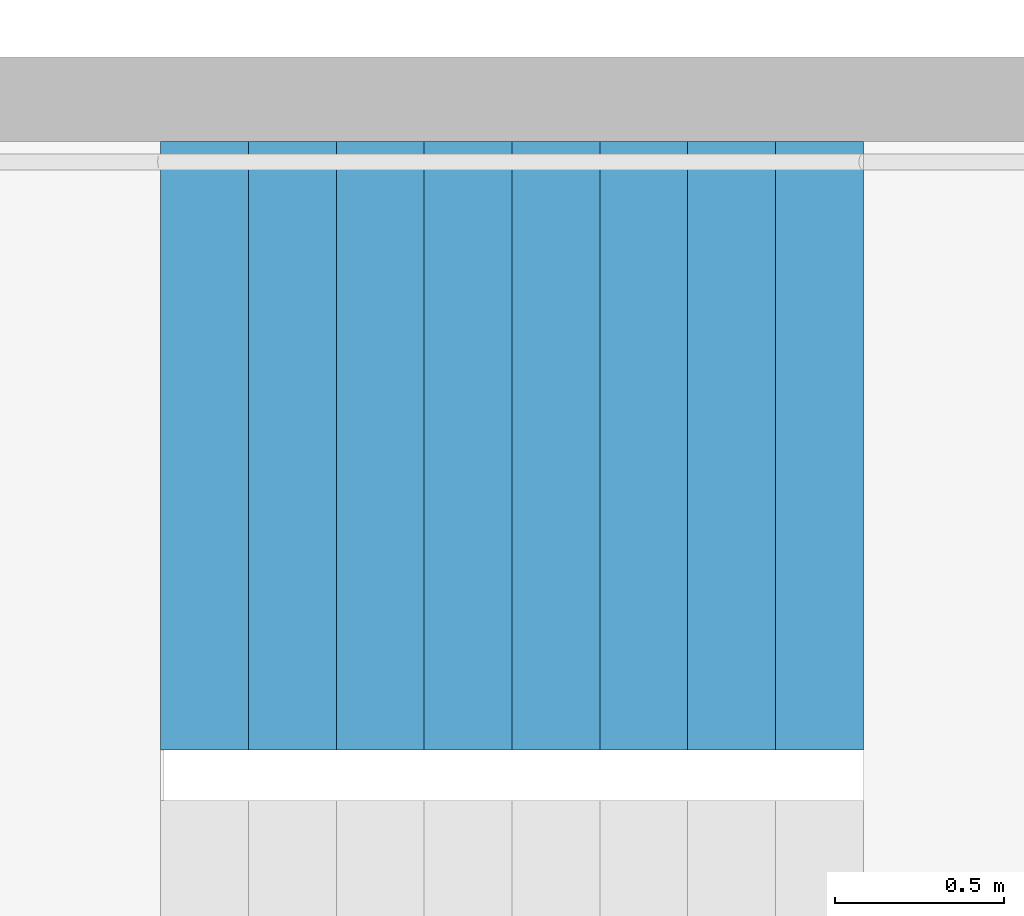
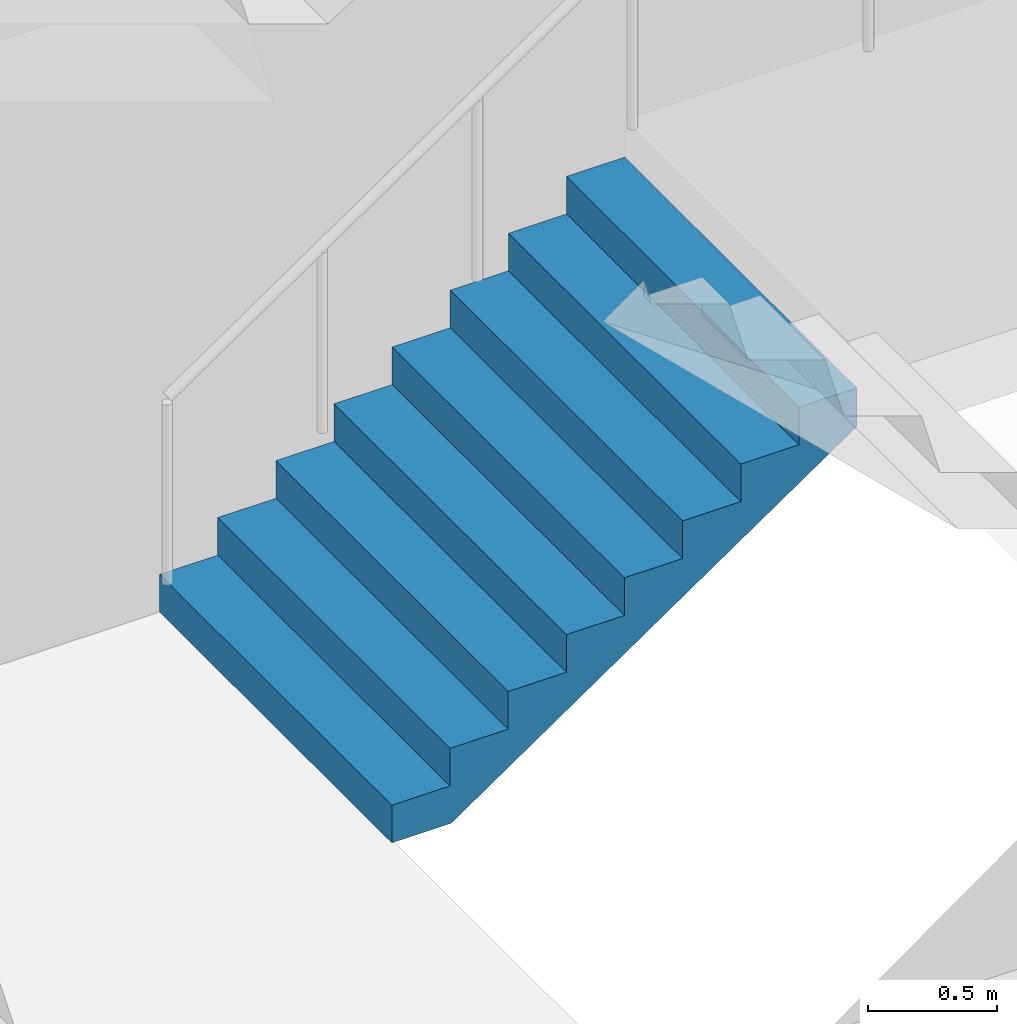
# One storey, part 26 of 42: 1 stair flight, 1 element without a shape of its own.
"""IFC4 building model written with IfcOpenShell, lengths in metres."""

from ifc_helpers import new_model, si_unit, direction, frame, origin, place, context, subcontext, project, spatial, triangles, material, type_object, element, aggregate, save


model = new_model("IFC4")

# Units and contexts
model_context = context("Model", 3, precision=1e-05, world=origin(), true_north=direction((0.0, 1.0)))
body_context = subcontext(model_context, "Body", "Model", "MODEL_VIEW")
ifc_project = project(units=[si_unit("LENGTHUNIT", "METRE"), si_unit("AREAUNIT", "SQUARE_METRE"), si_unit("VOLUMEUNIT", "CUBIC_METRE"), si_unit("PLANEANGLEUNIT", "RADIAN"), si_unit("MASSUNIT", "GRAM", prefix="KILO")], contexts=[model_context])

# Site, building, storey
site_placement = place(None, origin())
site = spatial("IfcSite", under=ifc_project, at=site_placement, CompositionType="ELEMENT")
building_placement = place(site_placement, origin())
building = spatial("IfcBuilding", under=site, at=building_placement, Name="Hakoniwa Tower and Hamabe Station Hall", CompositionType="ELEMENT")
storey_placement = place(building_placement, frame((0.0, 0.0, 232.60009765625)))
storey = spatial("IfcBuildingStorey", under=building, at=storey_placement, Name="L66", CompositionType="ELEMENT", Elevation=232.60009765625)

# Stair, stair flight
ifc_material_1 = material(Name="Concrete C40", Category="concrete")
stair_type = type_object("IfcStairType", Name="ESCAPE STAIR 1800", PredefinedType="HALF_TURN_STAIR", material=ifc_material_1)
stair_placement = place(storey_placement, origin())
stair = element("IfcStair", 1, at=stair_placement, inside=storey, type_object=stair_type, Name="Escape stair ST-4 L66", PredefinedType="HALF_TURN_STAIR")
ifc_material_2 = material(Name="Concrete C40", Category="concrete")
stair_flight_type = type_object("IfcStairFlightType", Name="STAIR FLIGHT 1800", PredefinedType="STRAIGHT", material=ifc_material_2)
stair_flight_placement = place(storey_placement, frame((23.39990234375, -4.64990234375, 0.0), z_axis=(0.0, 0.0, 1.0), x_axis=(1.0, 0.0, 0.0)))
stair_flight = element("IfcStairFlight", 2, at=stair_flight_placement, type_object=stair_flight_type, Name="ST-4 flight 1", NumberOfRisers=9, NumberOfTreads=8, PredefinedType="STRAIGHT", RiserHeight=0.177777778, TreadLength=0.26, context=body_context, shape_type="Tessellation", body=[
    triangles([(0.0, 0.89990234375, 0.0), (0.260009765625, 0.89990234375, 0.0), (0.265625, 0.89990234375, 0.0), (0.52001953125, 0.89990234375, 0.174072265625), (0.780029296875, 0.89990234375, 0.351806640625), (1.0400390625, 0.89990234375, 0.529541015625), (1.300048828125, 0.89990234375, 0.707275390625), (1.56005859375, 0.89990234375, 0.885009765625), (1.820068359375, 0.89990234375, 1.062744140625), (2.080078125, 0.89990234375, 1.24072265625), (2.080078125, 0.89990234375, 1.422119140625), (1.820068359375, 0.89990234375, 1.422119140625), (1.820068359375, 0.89990234375, 1.244384765625), (1.56005859375, 0.89990234375, 1.244384765625), (1.56005859375, 0.89990234375, 1.066650390625), (1.300048828125, 0.89990234375, 1.066650390625), (1.300048828125, 0.89990234375, 0.888916015625), (1.0400390625, 0.89990234375, 0.888916015625), (1.0400390625, 0.89990234375, 0.711181640625), (0.780029296875, 0.89990234375, 0.711181640625), (0.780029296875, 0.89990234375, 0.533447265625), (0.52001953125, 0.89990234375, 0.533447265625), (0.52001953125, 0.89990234375, 0.35546875), (0.265625, 0.89990234375, 0.35546875), (0.260009765625, 0.89990234375, 0.35546875), (0.260009765625, 0.89990234375, 0.177734375), (0.0, 0.89990234375, 0.177734375), (0.0, 0.06005859375, 0.0), (0.260009765625, 0.06005859375, 0.0), (0.265625, 0.06005859375, 0.0), (0.52001953125, 0.06005859375, 0.174072265625), (0.780029296875, 0.06005859375, 0.351806640625), (1.0400390625, 0.06005859375, 0.529541015625), (1.300048828125, 0.06005859375, 0.707275390625), (1.56005859375, 0.06005859375, 0.885009765625), (1.820068359375, 0.06005859375, 1.062744140625), (2.080078125, 0.06005859375, 1.24072265625), (2.080078125, 0.06005859375, 1.422119140625), (1.820068359375, 0.06005859375, 1.422119140625), (1.820068359375, 0.06005859375, 1.244384765625), (1.56005859375, 0.06005859375, 1.244384765625), (1.56005859375, 0.06005859375, 1.066650390625), (1.300048828125, 0.06005859375, 1.066650390625), (1.300048828125, 0.06005859375, 0.888916015625), (1.0400390625, 0.06005859375, 0.888916015625), (1.0400390625, 0.06005859375, 0.711181640625), (0.780029296875, 0.06005859375, 0.711181640625), (0.780029296875, 0.06005859375, 0.533447265625), (0.52001953125, 0.06005859375, 0.533447265625), (0.52001953125, 0.06005859375, 0.35546875), (0.265625, 0.06005859375, 0.35546875), (0.260009765625, 0.06005859375, 0.35546875), (0.260009765625, 0.06005859375, 0.177734375), (0.0, 0.06005859375, 0.177734375), (0.0, 0.04296875, 0.0), (0.260009765625, 0.04296875, 0.0), (0.265625, 0.04296875, 0.0), (0.52001953125, 0.04296875, 0.174072265625), (0.780029296875, 0.04296875, 0.351806640625), (1.0400390625, 0.04296875, 0.529541015625), (1.300048828125, 0.04296875, 0.707275390625), (1.56005859375, 0.04296875, 0.885009765625), (1.820068359375, 0.04296875, 1.062744140625), (2.080078125, 0.04296875, 1.24072265625), (2.080078125, 0.04296875, 1.422119140625), (1.820068359375, 0.04296875, 1.422119140625), (1.820068359375, 0.04296875, 1.244384765625), (1.56005859375, 0.04296875, 1.244384765625), (1.56005859375, 0.04296875, 1.066650390625), (1.300048828125, 0.04296875, 1.066650390625), (1.300048828125, 0.04296875, 0.888916015625), (1.0400390625, 0.04296875, 0.888916015625), (1.0400390625, 0.04296875, 0.711181640625), (0.780029296875, 0.04296875, 0.711181640625), (0.780029296875, 0.04296875, 0.533447265625), (0.52001953125, 0.04296875, 0.533447265625), (0.52001953125, 0.04296875, 0.35546875), (0.265625, 0.04296875, 0.35546875), (0.260009765625, 0.04296875, 0.35546875), (0.260009765625, 0.04296875, 0.177734375), (0.0, 0.04296875, 0.177734375), (0.0, 0.025634765625, 0.0), (0.260009765625, 0.025634765625, 0.0), (0.265625, 0.025634765625, 0.0), (0.52001953125, 0.025634765625, 0.174072265625), (0.780029296875, 0.025634765625, 0.351806640625), (1.0400390625, 0.025634765625, 0.529541015625), (1.300048828125, 0.025634765625, 0.707275390625), (1.56005859375, 0.025634765625, 0.885009765625), (1.820068359375, 0.025634765625, 1.062744140625), (2.080078125, 0.025634765625, 1.24072265625), (2.080078125, 0.025634765625, 1.422119140625), (1.820068359375, 0.025634765625, 1.422119140625), (1.820068359375, 0.025634765625, 1.244384765625), (1.56005859375, 0.025634765625, 1.244384765625), (1.56005859375, 0.025634765625, 1.066650390625), (1.300048828125, 0.025634765625, 1.066650390625), (1.300048828125, 0.025634765625, 0.888916015625), (1.0400390625, 0.025634765625, 0.888916015625), (1.0400390625, 0.025634765625, 0.711181640625), (0.780029296875, 0.025634765625, 0.711181640625), (0.780029296875, 0.025634765625, 0.533447265625), (0.52001953125, 0.025634765625, 0.533447265625), (0.52001953125, 0.025634765625, 0.35546875), (0.265625, 0.025634765625, 0.35546875), (0.260009765625, 0.025634765625, 0.35546875), (0.260009765625, 0.025634765625, 0.177734375), (0.0, 0.025634765625, 0.177734375), (0.0, 0.008544921875, 0.0), (0.260009765625, 0.008544921875, 0.0), (0.265625, 0.008544921875, 0.0), (0.52001953125, 0.008544921875, 0.174072265625), (0.780029296875, 0.008544921875, 0.351806640625), (1.0400390625, 0.008544921875, 0.529541015625), (1.300048828125, 0.008544921875, 0.707275390625), (1.56005859375, 0.008544921875, 0.885009765625), (1.820068359375, 0.008544921875, 1.062744140625), (2.080078125, 0.008544921875, 1.24072265625), (2.080078125, 0.008544921875, 1.422119140625), (1.820068359375, 0.008544921875, 1.422119140625), (1.820068359375, 0.008544921875, 1.244384765625), (1.56005859375, 0.008544921875, 1.244384765625), (1.56005859375, 0.008544921875, 1.066650390625), (1.300048828125, 0.008544921875, 1.066650390625), (1.300048828125, 0.008544921875, 0.888916015625), (1.0400390625, 0.008544921875, 0.888916015625), (1.0400390625, 0.008544921875, 0.711181640625), (0.780029296875, 0.008544921875, 0.711181640625), (0.780029296875, 0.008544921875, 0.533447265625), (0.52001953125, 0.008544921875, 0.533447265625), (0.52001953125, 0.008544921875, 0.35546875), (0.265625, 0.008544921875, 0.35546875), (0.260009765625, 0.008544921875, 0.35546875), (0.260009765625, 0.008544921875, 0.177734375), (0.0, 0.008544921875, 0.177734375), (0.0, -0.008544921875, 0.0), (0.260009765625, -0.008544921875, 0.0), (0.265625, -0.008544921875, 0.0), (0.52001953125, -0.008544921875, 0.174072265625), (0.780029296875, -0.008544921875, 0.351806640625), (1.0400390625, -0.008544921875, 0.529541015625), (1.300048828125, -0.008544921875, 0.707275390625), (1.56005859375, -0.008544921875, 0.885009765625), (1.820068359375, -0.008544921875, 1.062744140625), (2.080078125, -0.008544921875, 1.24072265625), (2.080078125, -0.008544921875, 1.422119140625), (1.820068359375, -0.008544921875, 1.422119140625), (1.820068359375, -0.008544921875, 1.244384765625), (1.56005859375, -0.008544921875, 1.244384765625), (1.56005859375, -0.008544921875, 1.066650390625), (1.300048828125, -0.008544921875, 1.066650390625), (1.300048828125, -0.008544921875, 0.888916015625), (1.0400390625, -0.008544921875, 0.888916015625), (1.0400390625, -0.008544921875, 0.711181640625), (0.780029296875, -0.008544921875, 0.711181640625), (0.780029296875, -0.008544921875, 0.533447265625), (0.52001953125, -0.008544921875, 0.533447265625), (0.52001953125, -0.008544921875, 0.35546875), (0.265625, -0.008544921875, 0.35546875), (0.260009765625, -0.008544921875, 0.35546875), (0.260009765625, -0.008544921875, 0.177734375), (0.0, -0.008544921875, 0.177734375), (0.0, -0.025634765625, 0.0), (0.260009765625, -0.025634765625, 0.0), (0.265625, -0.025634765625, 0.0), (0.52001953125, -0.025634765625, 0.174072265625), (0.780029296875, -0.025634765625, 0.351806640625), (1.0400390625, -0.025634765625, 0.529541015625), (1.300048828125, -0.025634765625, 0.707275390625), (1.56005859375, -0.025634765625, 0.885009765625), (1.820068359375, -0.025634765625, 1.062744140625), (2.080078125, -0.025634765625, 1.24072265625), (2.080078125, -0.025634765625, 1.422119140625), (1.820068359375, -0.025634765625, 1.422119140625), (1.820068359375, -0.025634765625, 1.244384765625), (1.56005859375, -0.025634765625, 1.244384765625), (1.56005859375, -0.025634765625, 1.066650390625), (1.300048828125, -0.025634765625, 1.066650390625), (1.300048828125, -0.025634765625, 0.888916015625), (1.0400390625, -0.025634765625, 0.888916015625), (1.0400390625, -0.025634765625, 0.711181640625), (0.780029296875, -0.025634765625, 0.711181640625), (0.780029296875, -0.025634765625, 0.533447265625), (0.52001953125, -0.025634765625, 0.533447265625), (0.52001953125, -0.025634765625, 0.35546875), (0.265625, -0.025634765625, 0.35546875), (0.260009765625, -0.025634765625, 0.35546875), (0.260009765625, -0.025634765625, 0.177734375), (0.0, -0.025634765625, 0.177734375), (0.0, -0.04296875, 0.0), (0.260009765625, -0.04296875, 0.0), (0.265625, -0.04296875, 0.0), (0.52001953125, -0.04296875, 0.174072265625), (0.780029296875, -0.04296875, 0.351806640625), (1.0400390625, -0.04296875, 0.529541015625), (1.300048828125, -0.04296875, 0.707275390625), (1.56005859375, -0.04296875, 0.885009765625), (1.820068359375, -0.04296875, 1.062744140625), (2.080078125, -0.04296875, 1.24072265625), (2.080078125, -0.04296875, 1.422119140625), (1.820068359375, -0.04296875, 1.422119140625), (1.820068359375, -0.04296875, 1.244384765625), (1.56005859375, -0.04296875, 1.244384765625), (1.56005859375, -0.04296875, 1.066650390625), (1.300048828125, -0.04296875, 1.066650390625), (1.300048828125, -0.04296875, 0.888916015625), (1.0400390625, -0.04296875, 0.888916015625), (1.0400390625, -0.04296875, 0.711181640625), (0.780029296875, -0.04296875, 0.711181640625), (0.780029296875, -0.04296875, 0.533447265625), (0.52001953125, -0.04296875, 0.533447265625), (0.52001953125, -0.04296875, 0.35546875), (0.265625, -0.04296875, 0.35546875), (0.260009765625, -0.04296875, 0.35546875), (0.260009765625, -0.04296875, 0.177734375), (0.0, -0.04296875, 0.177734375), (0.0, -0.06005859375, 0.0), (0.260009765625, -0.06005859375, 0.0), (0.265625, -0.06005859375, 0.0), (0.52001953125, -0.06005859375, 0.174072265625), (0.780029296875, -0.06005859375, 0.351806640625), (1.0400390625, -0.06005859375, 0.529541015625), (1.300048828125, -0.06005859375, 0.707275390625), (1.56005859375, -0.06005859375, 0.885009765625), (1.820068359375, -0.06005859375, 1.062744140625), (2.080078125, -0.06005859375, 1.24072265625), (2.080078125, -0.06005859375, 1.422119140625), (1.820068359375, -0.06005859375, 1.422119140625), (1.820068359375, -0.06005859375, 1.244384765625), (1.56005859375, -0.06005859375, 1.244384765625), (1.56005859375, -0.06005859375, 1.066650390625), (1.300048828125, -0.06005859375, 1.066650390625), (1.300048828125, -0.06005859375, 0.888916015625), (1.0400390625, -0.06005859375, 0.888916015625), (1.0400390625, -0.06005859375, 0.711181640625), (0.780029296875, -0.06005859375, 0.711181640625), (0.780029296875, -0.06005859375, 0.533447265625), (0.52001953125, -0.06005859375, 0.533447265625), (0.52001953125, -0.06005859375, 0.35546875), (0.265625, -0.06005859375, 0.35546875), (0.260009765625, -0.06005859375, 0.35546875), (0.260009765625, -0.06005859375, 0.177734375), (0.0, -0.06005859375, 0.177734375), (0.0, -0.89990234375, 0.0), (0.260009765625, -0.89990234375, 0.0), (0.265625, -0.89990234375, 0.0), (0.52001953125, -0.89990234375, 0.174072265625), (0.780029296875, -0.89990234375, 0.351806640625), (1.0400390625, -0.89990234375, 0.529541015625), (1.300048828125, -0.89990234375, 0.707275390625), (1.56005859375, -0.89990234375, 0.885009765625), (1.820068359375, -0.89990234375, 1.062744140625), (2.080078125, -0.89990234375, 1.24072265625), (2.080078125, -0.89990234375, 1.422119140625), (1.820068359375, -0.89990234375, 1.422119140625), (1.820068359375, -0.89990234375, 1.244384765625), (1.56005859375, -0.89990234375, 1.244384765625), (1.56005859375, -0.89990234375, 1.066650390625), (1.300048828125, -0.89990234375, 1.066650390625), (1.300048828125, -0.89990234375, 0.888916015625), (1.0400390625, -0.89990234375, 0.888916015625), (1.0400390625, -0.89990234375, 0.711181640625), (0.780029296875, -0.89990234375, 0.711181640625), (0.780029296875, -0.89990234375, 0.533447265625), (0.52001953125, -0.89990234375, 0.533447265625), (0.52001953125, -0.89990234375, 0.35546875), (0.265625, -0.89990234375, 0.35546875), (0.260009765625, -0.89990234375, 0.35546875), (0.260009765625, -0.89990234375, 0.177734375), (0.0, -0.89990234375, 0.177734375)], [[2, 27, 26], [245, 269, 270], [2, 1, 27], [245, 270, 244], [3, 25, 24], [246, 267, 268], [3, 26, 25], [246, 268, 269], [3, 2, 26], [246, 269, 245], [4, 24, 23], [247, 266, 267], [4, 3, 24], [247, 267, 246], [5, 22, 21], [248, 264, 265], [5, 23, 22], [248, 265, 266], [5, 4, 23], [248, 266, 247], [6, 20, 19], [249, 262, 263], [6, 21, 20], [249, 263, 264], [6, 5, 21], [249, 264, 248], [7, 18, 17], [250, 260, 261], [7, 19, 18], [250, 261, 262], [7, 6, 19], [250, 262, 249], [8, 16, 15], [251, 258, 259], [8, 17, 16], [251, 259, 260], [8, 7, 17], [251, 260, 250], [9, 14, 13], [252, 256, 257], [9, 15, 14], [252, 257, 258], [9, 8, 15], [252, 258, 251], [10, 12, 11], [253, 254, 255], [10, 13, 12], [253, 255, 256], [10, 9, 13], [253, 256, 252], [1, 2, 29], [1, 29, 28], [28, 29, 56], [28, 56, 55], [55, 56, 83], [55, 83, 82], [82, 83, 110], [82, 110, 109], [109, 110, 137], [109, 137, 136], [136, 137, 164], [136, 164, 163], [163, 164, 191], [163, 191, 190], [190, 191, 218], [190, 218, 217], [217, 218, 245], [217, 245, 244], [2, 3, 30], [2, 30, 29], [29, 30, 57], [29, 57, 56], [56, 57, 84], [56, 84, 83], [83, 84, 111], [83, 111, 110], [110, 111, 138], [110, 138, 137], [137, 138, 165], [137, 165, 164], [164, 165, 192], [164, 192, 191], [191, 192, 219], [191, 219, 218], [218, 219, 246], [218, 246, 245], [3, 4, 31], [3, 31, 30], [30, 31, 58], [30, 58, 57], [57, 58, 85], [57, 85, 84], [84, 85, 112], [84, 112, 111], [111, 112, 139], [111, 139, 138], [138, 139, 166], [138, 166, 165], [165, 166, 193], [165, 193, 192], [192, 193, 220], [192, 220, 219], [219, 220, 247], [219, 247, 246], [4, 5, 32], [4, 32, 31], [31, 32, 59], [31, 59, 58], [58, 59, 86], [58, 86, 85], [85, 86, 113], [85, 113, 112], [112, 113, 140], [112, 140, 139], [139, 140, 167], [139, 167, 166], [166, 167, 194], [166, 194, 193], [193, 194, 221], [193, 221, 220], [220, 221, 248], [220, 248, 247], [5, 6, 33], [5, 33, 32], [32, 33, 60], [32, 60, 59], [59, 60, 87], [59, 87, 86], [86, 87, 114], [86, 114, 113], [113, 114, 141], [113, 141, 140], [140, 141, 168], [140, 168, 167], [167, 168, 195], [167, 195, 194], [194, 195, 222], [194, 222, 221], [221, 222, 249], [221, 249, 248], [6, 7, 34], [6, 34, 33], [33, 34, 61], [33, 61, 60], [60, 61, 88], [60, 88, 87], [87, 88, 115], [87, 115, 114], [114, 115, 142], [114, 142, 141], [141, 142, 169], [141, 169, 168], [168, 169, 196], [168, 196, 195], [195, 196, 223], [195, 223, 222], [222, 223, 250], [222, 250, 249], [7, 8, 35], [7, 35, 34], [34, 35, 62], [34, 62, 61], [61, 62, 89], [61, 89, 88], [88, 89, 116], [88, 116, 115], [115, 116, 143], [115, 143, 142], [142, 143, 170], [142, 170, 169], [169, 170, 197], [169, 197, 196], [196, 197, 224], [196, 224, 223], [223, 224, 251], [223, 251, 250], [8, 9, 36], [8, 36, 35], [35, 36, 63], [35, 63, 62], [62, 63, 90], [62, 90, 89], [89, 90, 117], [89, 117, 116], [116, 117, 144], [116, 144, 143], [143, 144, 171], [143, 171, 170], [170, 171, 198], [170, 198, 197], [197, 198, 225], [197, 225, 224], [224, 225, 252], [224, 252, 251], [9, 10, 37], [9, 37, 36], [36, 37, 64], [36, 64, 63], [63, 64, 91], [63, 91, 90], [90, 91, 118], [90, 118, 117], [117, 118, 145], [117, 145, 144], [144, 145, 172], [144, 172, 171], [171, 172, 199], [171, 199, 198], [198, 199, 226], [198, 226, 225], [225, 226, 253], [225, 253, 252], [10, 11, 38], [10, 38, 37], [37, 38, 65], [37, 65, 64], [64, 65, 92], [64, 92, 91], [91, 92, 119], [91, 119, 118], [118, 119, 146], [118, 146, 145], [145, 146, 173], [145, 173, 172], [172, 173, 200], [172, 200, 199], [199, 200, 227], [199, 227, 226], [226, 227, 254], [226, 254, 253], [11, 12, 39], [11, 39, 38], [38, 39, 66], [38, 66, 65], [65, 66, 93], [65, 93, 92], [92, 93, 120], [92, 120, 119], [119, 120, 147], [119, 147, 146], [146, 147, 174], [146, 174, 173], [173, 174, 201], [173, 201, 200], [200, 201, 228], [200, 228, 227], [227, 228, 255], [227, 255, 254], [12, 13, 40], [12, 40, 39], [39, 40, 67], [39, 67, 66], [66, 67, 94], [66, 94, 93], [93, 94, 121], [93, 121, 120], [120, 121, 148], [120, 148, 147], [147, 148, 175], [147, 175, 174], [174, 175, 202], [174, 202, 201], [201, 202, 229], [201, 229, 228], [228, 229, 256], [228, 256, 255], [13, 14, 41], [13, 41, 40], [40, 41, 68], [40, 68, 67], [67, 68, 95], [67, 95, 94], [94, 95, 122], [94, 122, 121], [121, 122, 149], [121, 149, 148], [148, 149, 176], [148, 176, 175], [175, 176, 203], [175, 203, 202], [202, 203, 230], [202, 230, 229], [229, 230, 257], [229, 257, 256], [14, 15, 42], [14, 42, 41], [41, 42, 69], [41, 69, 68], [68, 69, 96], [68, 96, 95], [95, 96, 123], [95, 123, 122], [122, 123, 150], [122, 150, 149], [149, 150, 177], [149, 177, 176], [176, 177, 204], [176, 204, 203], [203, 204, 231], [203, 231, 230], [230, 231, 258], [230, 258, 257], [15, 16, 43], [15, 43, 42], [42, 43, 70], [42, 70, 69], [69, 70, 97], [69, 97, 96], [96, 97, 124], [96, 124, 123], [123, 124, 151], [123, 151, 150], [150, 151, 178], [150, 178, 177], [177, 178, 205], [177, 205, 204], [204, 205, 232], [204, 232, 231], [231, 232, 259], [231, 259, 258], [16, 17, 44], [16, 44, 43], [43, 44, 71], [43, 71, 70], [70, 71, 98], [70, 98, 97], [97, 98, 125], [97, 125, 124], [124, 125, 152], [124, 152, 151], [151, 152, 179], [151, 179, 178], [178, 179, 206], [178, 206, 205], [205, 206, 233], [205, 233, 232], [232, 233, 260], [232, 260, 259], [17, 18, 45], [17, 45, 44], [44, 45, 72], [44, 72, 71], [71, 72, 99], [71, 99, 98], [98, 99, 126], [98, 126, 125], [125, 126, 153], [125, 153, 152], [152, 153, 180], [152, 180, 179], [179, 180, 207], [179, 207, 206], [206, 207, 234], [206, 234, 233], [233, 234, 261], [233, 261, 260], [18, 19, 46], [18, 46, 45], [45, 46, 73], [45, 73, 72], [72, 73, 100], [72, 100, 99], [99, 100, 127], [99, 127, 126], [126, 127, 154], [126, 154, 153], [153, 154, 181], [153, 181, 180], [180, 181, 208], [180, 208, 207], [207, 208, 235], [207, 235, 234], [234, 235, 262], [234, 262, 261], [19, 20, 47], [19, 47, 46], [46, 47, 74], [46, 74, 73], [73, 74, 101], [73, 101, 100], [100, 101, 128], [100, 128, 127], [127, 128, 155], [127, 155, 154], [154, 155, 182], [154, 182, 181], [181, 182, 209], [181, 209, 208], [208, 209, 236], [208, 236, 235], [235, 236, 263], [235, 263, 262], [20, 21, 48], [20, 48, 47], [47, 48, 75], [47, 75, 74], [74, 75, 102], [74, 102, 101], [101, 102, 129], [101, 129, 128], [128, 129, 156], [128, 156, 155], [155, 156, 183], [155, 183, 182], [182, 183, 210], [182, 210, 209], [209, 210, 237], [209, 237, 236], [236, 237, 264], [236, 264, 263], [21, 22, 49], [21, 49, 48], [48, 49, 76], [48, 76, 75], [75, 76, 103], [75, 103, 102], [102, 103, 130], [102, 130, 129], [129, 130, 157], [129, 157, 156], [156, 157, 184], [156, 184, 183], [183, 184, 211], [183, 211, 210], [210, 211, 238], [210, 238, 237], [237, 238, 265], [237, 265, 264], [22, 23, 50], [22, 50, 49], [49, 50, 77], [49, 77, 76], [76, 77, 104], [76, 104, 103], [103, 104, 131], [103, 131, 130], [130, 131, 158], [130, 158, 157], [157, 158, 185], [157, 185, 184], [184, 185, 212], [184, 212, 211], [211, 212, 239], [211, 239, 238], [238, 239, 266], [238, 266, 265], [23, 24, 51], [23, 51, 50], [50, 51, 78], [50, 78, 77], [77, 78, 105], [77, 105, 104], [104, 105, 132], [104, 132, 131], [131, 132, 159], [131, 159, 158], [158, 159, 186], [158, 186, 185], [185, 186, 213], [185, 213, 212], [212, 213, 240], [212, 240, 239], [239, 240, 267], [239, 267, 266], [24, 25, 52], [24, 52, 51], [51, 52, 79], [51, 79, 78], [78, 79, 106], [78, 106, 105], [105, 106, 133], [105, 133, 132], [132, 133, 160], [132, 160, 159], [159, 160, 187], [159, 187, 186], [186, 187, 214], [186, 214, 213], [213, 214, 241], [213, 241, 240], [240, 241, 268], [240, 268, 267], [25, 26, 53], [25, 53, 52], [52, 53, 80], [52, 80, 79], [79, 80, 107], [79, 107, 106], [106, 107, 134], [106, 134, 133], [133, 134, 161], [133, 161, 160], [160, 161, 188], [160, 188, 187], [187, 188, 215], [187, 215, 214], [214, 215, 242], [214, 242, 241], [241, 242, 269], [241, 269, 268], [26, 27, 54], [26, 54, 53], [53, 54, 81], [53, 81, 80], [80, 81, 108], [80, 108, 107], [107, 108, 135], [107, 135, 134], [134, 135, 162], [134, 162, 161], [161, 162, 189], [161, 189, 188], [188, 189, 216], [188, 216, 215], [215, 216, 243], [215, 243, 242], [242, 243, 270], [242, 270, 269], [27, 1, 28], [27, 28, 54], [54, 28, 55], [54, 55, 81], [81, 55, 82], [81, 82, 108], [108, 82, 109], [108, 109, 135], [135, 109, 136], [135, 136, 162], [162, 136, 163], [162, 163, 189], [189, 163, 190], [189, 190, 216], [216, 190, 217], [216, 217, 243], [243, 217, 244], [243, 244, 270]], closed=True),
])
aggregate(stair, [stair_flight])

save(model, "model.ifc")
